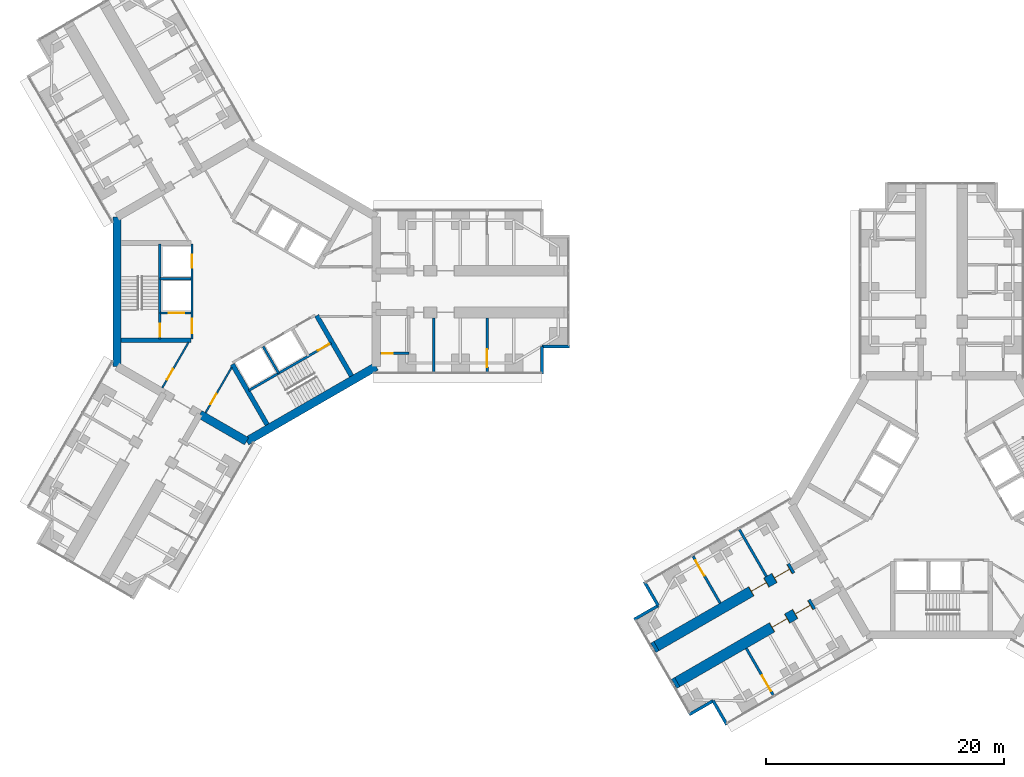
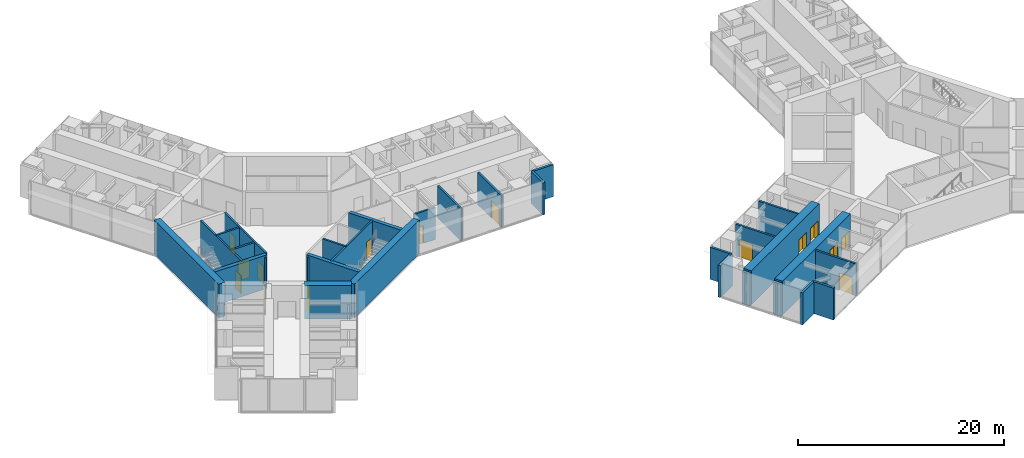
# One storey, part 16 of 22: 30 walls, 15 doors, 15 openings.
"""IFC4 building model written with IfcOpenShell, lengths in metres."""

from ifc_helpers import new_model, si_unit, direction, frame, frame_2d, origin, place, context, subcontext, project, spatial, rectangle, extrude, material, layer, layer_set, type_object, element, fill, save


model = new_model("IFC4")

# Units and contexts
model_context = context("Model", 3, precision=1e-05, world=origin(), true_north=direction((0.0, 1.0)))
body_context = subcontext(model_context, "Body", "Model", "MODEL_VIEW")
ifc_project = project(units=[si_unit("LENGTHUNIT", "METRE"), si_unit("AREAUNIT", "SQUARE_METRE"), si_unit("VOLUMEUNIT", "CUBIC_METRE"), si_unit("PLANEANGLEUNIT", "RADIAN"), si_unit("MASSUNIT", "GRAM", prefix="KILO")], contexts=[model_context])

# Site, building, storey
site_placement = place(None, origin())
site = spatial("IfcSite", under=ifc_project, at=site_placement, CompositionType="ELEMENT")
building_placement = place(site_placement, origin())
building = spatial("IfcBuilding", under=site, at=building_placement, Name="Upepo Twin Towers", CompositionType="ELEMENT")
storey_placement = place(building_placement, frame((0.0, 0.0, 40.5)))
storey = spatial("IfcBuildingStorey", under=building, at=storey_placement, Name="L09", CompositionType="ELEMENT", Elevation=40.5)

# Wall
ifc_material_1 = material(Name="Concrete blockwork, plastered both faces", Category="masonry")
ifc_layer_1 = layer(ifc_material_1, 0.215087890625)
ifc_layer_set_1 = layer_set([ifc_layer_1], Name="Blockwork partition 215")
wall_type_1 = type_object("IfcWallType", Name="Blockwork partition 215", PredefinedType="PARTITIONING", material=ifc_layer_set_1)
wall_1_placement = place(storey_placement, frame((15.75, -2.199951171875, 0.0), z_axis=(0.0, 0.0, 1.0), x_axis=(0.0, -1.0, 0.0)))
element("IfcWall", 1, at=wall_1_placement, inside=storey, type_object=wall_type_1, Name="T1 partition AR at 15.75", PredefinedType="PARTITIONING", context=body_context, shape_type="SweptSolid", body=[
    extrude(rectangle(XDim=4.550048828125, YDim=0.215087890625, at=frame_2d((2.27490234375, 0.0))), origin(), (0.0, 0.0, 1.0), 3.800048828125),
])

# Wall, opening, door
wall_2_placement = place(storey_placement, frame((20.25, -2.199951171875, 0.0), z_axis=(0.0, 0.0, 1.0), x_axis=(0.0, -1.0, 0.0)))
wall_2 = element("IfcWall", 2, at=wall_2_placement, inside=storey, type_object=wall_type_1, Name="T1 partition AR at 20.25", PredefinedType="PARTITIONING", context=body_context, shape_type="SweptSolid", body=[
    extrude(rectangle(XDim=4.550048828125, YDim=0.215087890625, at=frame_2d((2.27490234375, 0.0))), origin(), (0.0, 0.0, 1.0), 3.800048828125),
])
opening_1_placement = place(wall_2_placement, frame((2.64990234375, 0.0, 0.0)))
opening_1 = element("IfcOpeningElement", 3, at=opening_1_placement, cuts=wall_2, Name="Opening D13", PredefinedType="OPENING", context=body_context, shape_type="SweptSolid", body=[
    extrude(rectangle(XDim=1.5, YDim=2.10009765625, at=frame_2d((0.75, 1.050048828125))), frame((0.0, 0.117431640625, 0.0), z_axis=(0.0, -1.0, 0.0), x_axis=(1.0, 0.0, 0.0)), (0.0, 0.0, 1.0), 0.235107421875),
])
ifc_material_2 = material(Name="Timber doorset", Category="wood")
door_type_1 = type_object("IfcDoorType", Name="Double door 1500 FD30", OperationType="DOUBLE_DOOR_SINGLE_SWING", PredefinedType="DOOR", material=ifc_material_2)
door_1_placement = place(opening_1_placement, origin())
door_1 = element("IfcDoor", 4, at=door_1_placement, inside=storey, type_object=door_type_1, Name="T1 L09 connecting door", OperationType="DOUBLE_DOOR_SINGLE_SWING", OverallHeight=2.10009765625, OverallWidth=1.5, PredefinedType="DOOR", context=body_context, shape_type="SweptSolid", body=[
    extrude(rectangle(XDim=1.5, YDim=2.10009765625, at=frame_2d((0.75, 1.050048828125))), frame((0.0, 0.02490234375, 0.0), z_axis=(0.0, -1.0, 0.0), x_axis=(1.0, 0.0, 0.0)), (0.0, 0.0, 1.0), 0.050048828125),
])
fill(opening_1, door_1)

wall_3_placement = place(storey_placement, frame((11.258056640625, -5.199951171875, 0.0), z_axis=(0.0, 0.0, 1.0), x_axis=(1.0, 0.0, 0.0)))
wall_3 = element("IfcWall", 5, at=wall_3_placement, inside=storey, type_object=wall_type_1, Name="T1 WC bay partition AR at 11.26", PredefinedType="PARTITIONING", context=body_context, shape_type="SweptSolid", body=[
    extrude(rectangle(XDim=2.39990234375, YDim=0.215087890625, at=frame_2d((1.199951171875, 0.0))), origin(), (0.0, 0.0, 1.0), 3.800048828125),
])
opening_2_placement = place(wall_3_placement, frame((0.14990234375, 0.0, 0.0)))
opening_2 = element("IfcOpeningElement", 6, at=opening_2_placement, cuts=wall_3, Name="Opening D14", PredefinedType="OPENING", context=body_context, shape_type="SweptSolid", body=[
    extrude(rectangle(XDim=0.89990234375, YDim=2.10009765625, at=frame_2d((0.449951171875, 1.050048828125))), frame((0.0, 0.117431640625, 0.0), z_axis=(0.0, -1.0, 0.0), x_axis=(1.0, 0.0, 0.0)), (0.0, 0.0, 1.0), 0.235107421875),
])
ifc_material_3 = material(Name="Timber doorset", Category="wood")
door_type_2 = type_object("IfcDoorType", Name="Office door 900 FD30", OperationType="SINGLE_SWING_LEFT", PredefinedType="DOOR", material=ifc_material_3)
door_2_placement = place(opening_2_placement, origin())
door_2 = element("IfcDoor", 7, at=door_2_placement, inside=storey, type_object=door_type_2, Name="T1 L09 WC bay inner room door", OperationType="SINGLE_SWING_LEFT", OverallHeight=2.10009765625, OverallWidth=0.89990234375, PredefinedType="DOOR", context=body_context, shape_type="SweptSolid", body=[
    extrude(rectangle(XDim=0.89990234375, YDim=2.10009765625, at=frame_2d((0.449951171875, 1.050048828125))), frame((0.0, 0.02490234375, 0.0), z_axis=(0.0, -1.0, 0.0), x_axis=(1.0, 0.0, 0.0)), (0.0, 0.0, 1.0), 0.050048828125),
])
fill(opening_2, door_2)

wall_4_placement = place(storey_placement, frame((42.06298828125, -30.0302734375, 0.0), z_axis=(0.0, 0.0, 1.0), x_axis=(0.499982560684, -0.866035472144, 0.0)))
wall_4 = element("IfcWall", 8, at=wall_4_placement, inside=storey, type_object=wall_type_1, Name="T2 partition BL at 20.25", PredefinedType="PARTITIONING", context=body_context, shape_type="SweptSolid", body=[
    extrude(rectangle(XDim=4.550048828125, YDim=0.215087890625, at=frame_2d((2.27490234375, 0.0))), origin(), (0.0, 0.0, 1.0), 3.800048828125),
])
opening_3_placement = place(wall_4_placement, frame((2.64990234375, 0.0, 0.0)))
opening_3 = element("IfcOpeningElement", 9, at=opening_3_placement, cuts=wall_4, Name="Opening D13", PredefinedType="OPENING", context=body_context, shape_type="SweptSolid", body=[
    extrude(rectangle(XDim=1.5, YDim=2.10009765625, at=frame_2d((0.75, 1.050048828125))), frame((0.0, 0.117431640625, 0.0), z_axis=(0.0, -1.0, 0.0), x_axis=(1.0, 0.0, 0.0)), (0.0, 0.0, 1.0), 0.235107421875),
])
door_3_placement = place(opening_3_placement, origin())
door_3 = element("IfcDoor", 10, at=door_3_placement, inside=storey, type_object=door_type_1, Name="T2 L09 connecting door", OperationType="DOUBLE_DOOR_SINGLE_SWING", OverallHeight=2.10009765625, OverallWidth=1.5, PredefinedType="DOOR", context=body_context, shape_type="SweptSolid", body=[
    extrude(rectangle(XDim=1.5, YDim=2.10009765625, at=frame_2d((0.75, 1.050048828125))), frame((0.0, 0.02490234375, 0.0), z_axis=(0.0, -1.0, 0.0), x_axis=(1.0, 0.0, 0.0)), (0.0, 0.0, 1.0), 0.050048828125),
])
fill(opening_3, door_3)

# Wall
wall_5_placement = place(storey_placement, frame((43.760009765625, -23.9697265625, 0.0), z_axis=(0.0, 0.0, 1.0), x_axis=(-0.499982560684, 0.866035472144, 0.0)))
element("IfcWall", 11, at=wall_5_placement, inside=storey, type_object=wall_type_1, Name="T2 partition BR at 15.75", PredefinedType="PARTITIONING", context=body_context, shape_type="SweptSolid", body=[
    extrude(rectangle(XDim=4.550048828125, YDim=0.215087890625, at=frame_2d((2.27490234375, 0.0))), origin(), (0.0, 0.0, 1.0), 3.800048828125),
])

# Wall, opening, door
wall_6_placement = place(storey_placement, frame((39.863037109375, -26.2197265625, 0.0), z_axis=(0.0, 0.0, 1.0), x_axis=(-0.500022803284, 0.866012237902, 0.0)))
wall_6 = element("IfcWall", 12, at=wall_6_placement, inside=storey, type_object=wall_type_1, Name="T2 partition BR at 20.25", PredefinedType="PARTITIONING", context=body_context, shape_type="SweptSolid", body=[
    extrude(rectangle(XDim=4.550048828125, YDim=0.215087890625, at=frame_2d((2.27490234375, 0.0))), origin(), (0.0, 0.0, 1.0), 3.800048828125),
])
opening_4_placement = place(wall_6_placement, frame((2.64990234375, 0.0, 0.0)))
opening_4 = element("IfcOpeningElement", 13, at=opening_4_placement, cuts=wall_6, Name="Opening D13", PredefinedType="OPENING", context=body_context, shape_type="SweptSolid", body=[
    extrude(rectangle(XDim=1.5, YDim=2.10009765625, at=frame_2d((0.75, 1.050048828125))), frame((0.0, 0.117431640625, 0.0), z_axis=(0.0, -1.0, 0.0), x_axis=(1.0, 0.0, 0.0)), (0.0, 0.0, 1.0), 0.235107421875),
])
door_4_placement = place(opening_4_placement, origin())
door_4 = element("IfcDoor", 14, at=door_4_placement, inside=storey, type_object=door_type_1, Name="T2 L09 connecting door", OperationType="DOUBLE_DOOR_SINGLE_SWING", OverallHeight=2.10009765625, OverallWidth=1.5, PredefinedType="DOOR", context=body_context, shape_type="SweptSolid", body=[
    extrude(rectangle(XDim=1.5, YDim=2.10009765625, at=frame_2d((0.75, 1.050048828125))), frame((0.0, 0.02490234375, 0.0), z_axis=(0.0, -1.0, 0.0), x_axis=(1.0, 0.0, 0.0)), (0.0, 0.0, 1.0), 0.050048828125),
])
fill(opening_4, door_4)

# Walls
ifc_material_4 = material(Name="Dense concrete blockwork", Category="masonry")
ifc_layer_2 = layer(ifc_material_4, 0.89990234375)
ifc_layer_set_2 = layer_set([ifc_layer_2], Name="Buttress closer 900, blockwork with fire-stopping to the curtain wall")
wall_type_2 = type_object("IfcWallType", Name="Buttress closer 900, blockwork with fire-stopping to the curtain wall", PredefinedType="PARTITIONING", material=ifc_layer_set_2)
for number, where, z_axis, x_axis, name in (
    (15, (36.252197265625, -32.865478515625, 0.0), (0.0, 0.0, 1.0), (-0.866054481515, -0.499949632511, 0.0), "T2 L09 wing B buttress closer L"),
    (16, (34.502197265625, -29.83447265625, 0.0), (0.0, 0.0, 1.0), (-0.866054481515, -0.499949632511, 0.0), "T2 L09 wing B buttress closer R"),
):
    element("IfcWall", number, at=place(storey_placement, frame(where, z_axis=z_axis, x_axis=x_axis)), inside=storey, type_object=wall_type_2, Name=name, PredefinedType="PARTITIONING", context=body_context, shape_type="SweptSolid", body=[
        extrude(rectangle(XDim=0.31005859375, YDim=0.89990234375, at=frame_2d((0.155029296875, 0.0))), origin(), (0.0, 0.0, 1.0), 3.800048828125),
    ])

# Wall, openings, doors
ifc_material_5 = material(Name="Concrete C60/75", Category="concrete")
ifc_layer_3 = layer(ifc_material_5, 0.89990234375)
ifc_layer_set_3 = layer_set([ifc_layer_3], Name="Concrete C60/75")
wall_type_3 = type_object("IfcWallType", Name="Buttress wall 900 RC", PredefinedType="SHEAR", material=ifc_layer_set_3)
wall_7_placement = place(storey_placement, frame((47.68359375, -26.265625, 0.0), z_axis=(0.0, 0.0, 1.0), x_axis=(-0.866027579429, -0.499996231654, 0.0)))
wall_7 = element("IfcWall", 17, at=wall_7_placement, inside=storey, type_object=wall_type_3, Name="T2 wing B buttress wall L part 2", PredefinedType="SHEAR", context=body_context, shape_type="SweptSolid", body=[
    extrude(rectangle(XDim=13.19970703125, YDim=0.89990234375, at=frame_2d((6.599853515625, 0.0))), origin(), (0.0, 0.0, 1.0), 4.0),
])
opening_5_placement = place(wall_7_placement, frame((0.25, 0.0, 0.0)))
opening_5 = element("IfcOpeningElement", 18, at=opening_5_placement, cuts=wall_7, Name="Opening D13", PredefinedType="OPENING", context=body_context, shape_type="SweptSolid", body=[
    extrude(rectangle(XDim=1.5, YDim=2.10009765625, at=frame_2d((0.75, 1.050048828125))), frame((0.0, 0.4599609375, 0.0), z_axis=(0.0, -1.0, 0.0), x_axis=(1.0, 0.0, 0.0)), (0.0, 0.0, 1.0), 0.919921875),
])
opening_6_placement = place(wall_7_placement, frame((2.5, 0.0, 0.0)))
opening_6 = element("IfcOpeningElement", 19, at=opening_6_placement, cuts=wall_7, Name="Opening D13", PredefinedType="OPENING", context=body_context, shape_type="SweptSolid", body=[
    extrude(rectangle(XDim=1.5, YDim=2.10009765625, at=frame_2d((0.75, 1.050048828125))), frame((0.0, 0.4599609375, 0.0), z_axis=(0.0, -1.0, 0.0), x_axis=(1.0, 0.0, 0.0)), (0.0, 0.0, 1.0), 0.919921875),
])
door_5_placement = place(opening_5_placement, origin())
door_5 = element("IfcDoor", 20, at=door_5_placement, inside=storey, type_object=door_type_1, Name="T2 L09 lecture room door", OperationType="DOUBLE_DOOR_SINGLE_SWING", OverallHeight=2.10009765625, OverallWidth=1.5, PredefinedType="DOOR", context=body_context, shape_type="SweptSolid", body=[
    extrude(rectangle(XDim=1.42, YDim=2.06009765625, at=frame_2d((0.75, 1.030029296875))), frame((0.0, 0.02490234375, 0.0), z_axis=(0.0, -1.0, 0.0), x_axis=(1.0, 0.0, 0.0)), (0.0, 0.0, 1.0), 0.050048828125),
    extrude(rectangle(XDim=0.04, YDim=2.10009765625, at=frame_2d((0.02001953125, 1.050048828125))), frame((0.0, 0.44970703125, 0.0), z_axis=(0.0, -1.0, 0.0), x_axis=(1.0, 0.0, 0.0)), (0.0, 0.0, 1.0), 0.8994140625),
    extrude(rectangle(XDim=0.04, YDim=2.10009765625, at=frame_2d((1.47998046875, 1.050048828125))), frame((0.0, 0.44970703125, 0.0), z_axis=(0.0, -1.0, 0.0), x_axis=(1.0, 0.0, 0.0)), (0.0, 0.0, 1.0), 0.8994140625),
    extrude(rectangle(XDim=1.42, YDim=0.04, at=frame_2d((0.75, 2.080078125))), frame((0.0, 0.44970703125, 0.0), z_axis=(0.0, -1.0, 0.0), x_axis=(1.0, 0.0, 0.0)), (0.0, 0.0, 1.0), 0.8994140625),
])
fill(opening_5, door_5)
door_6_placement = place(opening_6_placement, origin())
door_6 = element("IfcDoor", 21, at=door_6_placement, inside=storey, type_object=door_type_1, Name="T2 L09 tutorial room door", OperationType="DOUBLE_DOOR_SINGLE_SWING", OverallHeight=2.10009765625, OverallWidth=1.5, PredefinedType="DOOR", context=body_context, shape_type="SweptSolid", body=[
    extrude(rectangle(XDim=1.42, YDim=2.06009765625, at=frame_2d((0.75, 1.030029296875))), frame((0.0, 0.02490234375, 0.0), z_axis=(0.0, -1.0, 0.0), x_axis=(1.0, 0.0, 0.0)), (0.0, 0.0, 1.0), 0.050048828125),
    extrude(rectangle(XDim=0.04, YDim=2.10009765625, at=frame_2d((0.02001953125, 1.050048828125))), frame((0.0, 0.44970703125, 0.0), z_axis=(0.0, -1.0, 0.0), x_axis=(1.0, 0.0, 0.0)), (0.0, 0.0, 1.0), 0.8994140625),
    extrude(rectangle(XDim=0.04, YDim=2.10009765625, at=frame_2d((1.47998046875, 1.050048828125))), frame((0.0, 0.44970703125, 0.0), z_axis=(0.0, -1.0, 0.0), x_axis=(1.0, 0.0, 0.0)), (0.0, 0.0, 1.0), 0.8994140625),
    extrude(rectangle(XDim=1.42, YDim=0.04, at=frame_2d((0.75, 2.080078125))), frame((0.0, 0.44970703125, 0.0), z_axis=(0.0, -1.0, 0.0), x_axis=(1.0, 0.0, 0.0)), (0.0, 0.0, 1.0), 0.8994140625),
])
fill(opening_6, door_6)

wall_8_placement = place(storey_placement, frame((45.93359375, -23.234375, 0.0), z_axis=(0.0, 0.0, 1.0), x_axis=(-0.866019570528, -0.500010103361, 0.0)))
wall_8 = element("IfcWall", 22, at=wall_8_placement, inside=storey, type_object=wall_type_3, Name="T2 wing B buttress wall R part 2", PredefinedType="SHEAR", context=body_context, shape_type="SweptSolid", body=[
    extrude(rectangle(XDim=13.199951171875, YDim=0.89990234375, at=frame_2d((6.60009765625, 0.0))), origin(), (0.0, 0.0, 1.0), 4.0),
])
opening_7_placement = place(wall_8_placement, frame((0.25, 0.0, 0.0)))
opening_7 = element("IfcOpeningElement", 23, at=opening_7_placement, cuts=wall_8, Name="Opening D13", PredefinedType="OPENING", context=body_context, shape_type="SweptSolid", body=[
    extrude(rectangle(XDim=1.5, YDim=2.10009765625, at=frame_2d((0.75, 1.050048828125))), frame((0.0, 0.4599609375, 0.0), z_axis=(0.0, -1.0, 0.0), x_axis=(1.0, 0.0, 0.0)), (0.0, 0.0, 1.0), 0.919921875),
])
opening_8_placement = place(wall_8_placement, frame((2.5, 0.0, 0.0)))
opening_8 = element("IfcOpeningElement", 24, at=opening_8_placement, cuts=wall_8, Name="Opening D13", PredefinedType="OPENING", context=body_context, shape_type="SweptSolid", body=[
    extrude(rectangle(XDim=1.5, YDim=2.10009765625, at=frame_2d((0.75, 1.050048828125))), frame((0.0, 0.4599609375, 0.0), z_axis=(0.0, -1.0, 0.0), x_axis=(1.0, 0.0, 0.0)), (0.0, 0.0, 1.0), 0.919921875),
])
door_7_placement = place(opening_7_placement, origin())
door_7 = element("IfcDoor", 25, at=door_7_placement, inside=storey, type_object=door_type_1, Name="T2 L09 seminar room door", OperationType="DOUBLE_DOOR_SINGLE_SWING", OverallHeight=2.10009765625, OverallWidth=1.5, PredefinedType="DOOR", context=body_context, shape_type="SweptSolid", body=[
    extrude(rectangle(XDim=1.42, YDim=2.06009765625, at=frame_2d((0.75, 1.030029296875))), frame((0.0, 0.02490234375, 0.0), z_axis=(0.0, -1.0, 0.0), x_axis=(1.0, 0.0, 0.0)), (0.0, 0.0, 1.0), 0.050048828125),
    extrude(rectangle(XDim=0.04, YDim=2.10009765625, at=frame_2d((0.02001953125, 1.050048828125))), frame((0.0, 0.44970703125, 0.0), z_axis=(0.0, -1.0, 0.0), x_axis=(1.0, 0.0, 0.0)), (0.0, 0.0, 1.0), 0.8994140625),
    extrude(rectangle(XDim=0.04, YDim=2.10009765625, at=frame_2d((1.47998046875, 1.050048828125))), frame((0.0, 0.44970703125, 0.0), z_axis=(0.0, -1.0, 0.0), x_axis=(1.0, 0.0, 0.0)), (0.0, 0.0, 1.0), 0.8994140625),
    extrude(rectangle(XDim=1.42, YDim=0.04, at=frame_2d((0.75, 2.080078125))), frame((0.0, 0.44970703125, 0.0), z_axis=(0.0, -1.0, 0.0), x_axis=(1.0, 0.0, 0.0)), (0.0, 0.0, 1.0), 0.8994140625),
])
fill(opening_7, door_7)
door_8_placement = place(opening_8_placement, origin())
door_8 = element("IfcDoor", 26, at=door_8_placement, inside=storey, type_object=door_type_1, Name="T2 L09 lecture room door", OperationType="DOUBLE_DOOR_SINGLE_SWING", OverallHeight=2.10009765625, OverallWidth=1.5, PredefinedType="DOOR", context=body_context, shape_type="SweptSolid", body=[
    extrude(rectangle(XDim=1.42, YDim=2.06009765625, at=frame_2d((0.75, 1.030029296875))), frame((0.0, 0.02490234375, 0.0), z_axis=(0.0, -1.0, 0.0), x_axis=(1.0, 0.0, 0.0)), (0.0, 0.0, 1.0), 0.050048828125),
    extrude(rectangle(XDim=0.04, YDim=2.10009765625, at=frame_2d((0.02001953125, 1.050048828125))), frame((0.0, 0.44970703125, 0.0), z_axis=(0.0, -1.0, 0.0), x_axis=(1.0, 0.0, 0.0)), (0.0, 0.0, 1.0), 0.8994140625),
    extrude(rectangle(XDim=0.04, YDim=2.10009765625, at=frame_2d((1.47998046875, 1.050048828125))), frame((0.0, 0.44970703125, 0.0), z_axis=(0.0, -1.0, 0.0), x_axis=(1.0, 0.0, 0.0)), (0.0, 0.0, 1.0), 0.8994140625),
    extrude(rectangle(XDim=1.42, YDim=0.04, at=frame_2d((0.75, 2.080078125))), frame((0.0, 0.44970703125, 0.0), z_axis=(0.0, -1.0, 0.0), x_axis=(1.0, 0.0, 0.0)), (0.0, 0.0, 1.0), 0.8994140625),
])
fill(opening_8, door_8)

# Walls
ifc_material_6 = material(Name="Concrete C60/75", Category="concrete")
ifc_layer_4 = layer(ifc_material_6, 0.699951171875)
ifc_layer_set_4 = layer_set([ifc_layer_4], Name="Concrete C60/75")
wall_type_4 = type_object("IfcWallType", Name="Core wall 700 RC", PredefinedType="SHEAR", material=ifc_layer_set_4)
wall_9_placement = place(storey_placement, frame((-10.908447265625, 6.2978515625, 0.0), z_axis=(0.0, 0.0, 1.0), x_axis=(0.0, -1.0, 0.0)))
element("IfcWall", 27, at=wall_9_placement, inside=storey, type_object=wall_type_4, Name="T1 core wall 180", PredefinedType="SHEAR", context=body_context, shape_type="SweptSolid", body=[
    extrude(rectangle(XDim=12.595703125, YDim=0.699951171875, at=frame_2d((6.2978515625, 0.0))), origin(), (0.0, 0.0, 1.0), 4.0),
])
wall_10_placement = place(storey_placement, frame((-3.938720703125, -10.32177734375, 0.0), z_axis=(0.0, 0.0, 1.0), x_axis=(0.866011268655, -0.500024481964, 0.0)))
element("IfcWall", 28, at=wall_10_placement, inside=storey, type_object=wall_type_4, Name="T1 core wall 240 L", PredefinedType="SHEAR", context=body_context, shape_type="SweptSolid", body=[
    extrude(rectangle(XDim=4.548095703125, YDim=0.699951171875, at=frame_2d((2.27392578125, 0.0))), origin(), (0.0, 0.0, 1.0), 4.0),
])
wall_11_placement = place(storey_placement, frame((0.0, -12.595947265625, 0.0), z_axis=(0.0, 0.0, 1.0), x_axis=(0.866021940709, 0.500005998175, 0.0)))
element("IfcWall", 29, at=wall_11_placement, inside=storey, type_object=wall_type_4, Name="T1 core wall 300", PredefinedType="SHEAR", context=body_context, shape_type="SweptSolid", body=[
    extrude(rectangle(XDim=12.595947265625, YDim=0.699951171875, at=frame_2d((6.2978515625, 0.0))), origin(), (0.0, 0.0, 1.0), 4.0),
])
ifc_material_7 = material(Name="Blockwork with anodised aluminium cladding", Category="masonry")
ifc_layer_5 = layer(ifc_material_7, 0.25)
ifc_layer_set_5 = layer_set([ifc_layer_5], Name="Notch cladding wall 250, pale metal")
wall_type_5 = type_object("IfcWallType", Name="Notch cladding wall 250, pale metal", PredefinedType="STANDARD", material=ifc_layer_set_5)
for number, where, z_axis, x_axis, name in (
    (30, (24.875, -6.949951171875, 0.0), (0.0, 0.0, 1.0), (0.0, 1.0, 0.0), "T1 L09 wing A notch wall R1"),
    (31, (24.875, -4.625, 0.0), (0.0, 0.0, 1.0), (1.0, 0.0, 0.0), "T1 L09 wing A notch wall R2"),
    (32, (40.4326171875, -36.456298828125, 0.0), (0.0, 0.0, 1.0), (-0.500046648681, 0.865998469481, 0.0), "T2 L09 wing B notch wall L1"),
    (33, (39.27001953125, -34.44287109375, 0.0), (0.0, 0.0, 1.0), (-0.865998469481, -0.500046648681, 0.0), "T2 L09 wing B notch wall L2"),
    (34, (33.482666015625, -24.418701171875, 0.0), (0.0, 0.0, 1.0), (0.499967891604, -0.866043940782, 0.0), "T2 L09 wing B notch wall R1"),
    (35, (34.64501953125, -26.43212890625, 0.0), (0.0, 0.0, 1.0), (-0.865998469481, -0.500046648681, 0.0), "T2 L09 wing B notch wall R2"),
):
    element("IfcWall", number, at=place(storey_placement, frame(where, z_axis=z_axis, x_axis=x_axis)), inside=storey, type_object=wall_type_5, Name=name, PredefinedType="STANDARD", context=body_context, shape_type="SweptSolid", body=[
        extrude(rectangle(XDim=2.324951171875, YDim=0.25, at=frame_2d((1.16259765625, 0.0))), origin(), (0.0, 0.0, 1.0), 3.800048828125),
    ])

# Wall, openings, doors
ifc_material_8 = material(Name="Concrete C40/50", Category="concrete")
ifc_layer_6 = layer(ifc_material_8, 0.199951171875)
ifc_layer_set_6 = layer_set([ifc_layer_6], Name="Concrete C40/50")
wall_type_6 = type_object("IfcWallType", Name="Shaft wall 200 RC", PredefinedType="SHEAR", material=ifc_layer_set_6)
wall_12_placement = place(storey_placement, frame((-4.60009765625, 4.0, 0.0), z_axis=(0.0, 0.0, 1.0), x_axis=(0.0, -1.0, 0.0)))
wall_12 = element("IfcWall", 36, at=wall_12_placement, inside=storey, type_object=wall_type_6, Name="T1 core W180 front wall", PredefinedType="SHEAR", context=body_context, shape_type="SweptSolid", body=[
    extrude(rectangle(XDim=8.0, YDim=0.199951171875, at=frame_2d((4.0, 0.0))), origin(), (0.0, 0.0, 1.0), 4.0),
])
opening_9_placement = place(wall_12_placement, frame((6.300048828125, 0.0, 0.0)))
opening_9 = element("IfcOpeningElement", 37, at=opening_9_placement, cuts=wall_12, Name="Opening D4", PredefinedType="OPENING", context=body_context, shape_type="SweptSolid", body=[
    extrude(rectangle(XDim=1.199951171875, YDim=2.10009765625, at=frame_2d((0.60009765625, 1.050048828125))), frame((0.0, 0.10986328125, 0.0), z_axis=(0.0, -1.0, 0.0), x_axis=(1.0, 0.0, 0.0)), (0.0, 0.0, 1.0), 0.219970703125),
])
opening_10_placement = place(wall_12_placement, frame((0.89990234375, 0.0, 0.0)))
opening_10 = element("IfcOpeningElement", 38, at=opening_10_placement, cuts=wall_12, Name="Opening LD1", PredefinedType="OPENING", context=body_context, shape_type="SweptSolid", body=[
    extrude(rectangle(XDim=1.10009765625, YDim=2.199951171875, at=frame_2d((0.550048828125, 1.10009765625))), frame((0.0, 0.10986328125, 0.0), z_axis=(0.0, -1.0, 0.0), x_axis=(1.0, 0.0, 0.0)), (0.0, 0.0, 1.0), 0.219970703125),
])
ifc_material_9 = material(Name="Steel doorset", Category="steel")
door_type_3 = type_object("IfcDoorType", Name="Lift landing door 1100", OperationType="DOUBLE_DOOR_SLIDING", PredefinedType="DOOR", material=ifc_material_9)
door_9_placement = place(opening_10_placement, origin())
door_9 = element("IfcDoor", 39, at=door_9_placement, inside=storey, type_object=door_type_3, Name="T1 L09 lift SV1 landing door", OperationType="DOUBLE_DOOR_SLIDING", OverallHeight=2.199951171875, OverallWidth=1.10009765625, PredefinedType="DOOR", context=body_context, shape_type="SweptSolid", body=[
    extrude(rectangle(XDim=1.10009765625, YDim=2.199951171875, at=frame_2d((0.550048828125, 1.10009765625))), frame((0.0, 0.02490234375, 0.0), z_axis=(0.0, -1.0, 0.0), x_axis=(1.0, 0.0, 0.0)), (0.0, 0.0, 1.0), 0.050048828125),
])
fill(opening_10, door_9)
ifc_material_10 = material(Name="Timber doorset", Category="wood")
door_type_4 = type_object("IfcDoorType", Name="Lobby door 1200 FD60", OperationType="SINGLE_SWING_LEFT", PredefinedType="DOOR", material=ifc_material_10)
door_10_placement = place(opening_9_placement, origin())
door_10 = element("IfcDoor", 40, at=door_10_placement, inside=storey, type_object=door_type_4, Name="T1 L09 W180 lobby door", OperationType="SINGLE_SWING_RIGHT", OverallHeight=2.10009765625, OverallWidth=1.199951171875, PredefinedType="DOOR", context=body_context, shape_type="SweptSolid", body=[
    extrude(rectangle(XDim=1.199951171875, YDim=2.10009765625, at=frame_2d((0.60009765625, 1.050048828125))), frame((0.0, 0.02490234375, 0.0), z_axis=(0.0, -1.0, 0.0), x_axis=(1.0, 0.0, 0.0)), (0.0, 0.0, 1.0), 0.050048828125),
])
fill(opening_9, door_10)

# Wall
wall_13_placement = place(storey_placement, frame((-4.699951171875, 1.10009765625, 0.0), z_axis=(0.0, 0.0, 1.0), x_axis=(-1.0, 0.0, 0.0)))
element("IfcWall", 41, at=wall_13_placement, inside=storey, type_object=wall_type_6, Name="T1 core W180 shaft divider", PredefinedType="SHEAR", context=body_context, shape_type="SweptSolid", body=[
    extrude(rectangle(XDim=2.60009765625, YDim=0.199951171875, at=frame_2d((1.300048828125, 0.0))), origin(), (0.0, 0.0, 1.0), 4.0),
])

# Wall, opening, door
wall_14_placement = place(storey_placement, frame((-4.699951171875, -1.800048828125, 0.0), z_axis=(0.0, 0.0, 1.0), x_axis=(-1.0, 0.0, 0.0)))
wall_14 = element("IfcWall", 42, at=wall_14_placement, inside=storey, type_object=wall_type_6, Name="T1 core W180 lobby wall", PredefinedType="SHEAR", context=body_context, shape_type="SweptSolid", body=[
    extrude(rectangle(XDim=2.60009765625, YDim=0.199951171875, at=frame_2d((1.300048828125, 0.0))), origin(), (0.0, 0.0, 1.0), 4.0),
])
opening_11_placement = place(wall_14_placement, frame((0.550048828125, 0.0, 0.0)))
opening_11 = element("IfcOpeningElement", 43, at=opening_11_placement, cuts=wall_14, Name="Opening LD2", PredefinedType="OPENING", context=body_context, shape_type="SweptSolid", body=[
    extrude(rectangle(XDim=1.300048828125, YDim=2.199951171875, at=frame_2d((0.64990234375, 1.10009765625))), frame((0.0, 0.10986328125, 0.0), z_axis=(0.0, -1.0, 0.0), x_axis=(1.0, 0.0, 0.0)), (0.0, 0.0, 1.0), 0.219970703125),
])
ifc_material_11 = material(Name="Steel doorset", Category="steel")
door_type_5 = type_object("IfcDoorType", Name="Firefighting lift landing door 1300", OperationType="DOUBLE_DOOR_SLIDING", PredefinedType="DOOR", material=ifc_material_11)
door_11_placement = place(opening_11_placement, origin())
door_11 = element("IfcDoor", 44, at=door_11_placement, inside=storey, type_object=door_type_5, Name="T1 L09 firefighting lift landing door", OperationType="DOUBLE_DOOR_SLIDING", OverallHeight=2.199951171875, OverallWidth=1.300048828125, PredefinedType="DOOR", context=body_context, shape_type="SweptSolid", body=[
    extrude(rectangle(XDim=1.300048828125, YDim=2.199951171875, at=frame_2d((0.64990234375, 1.10009765625))), frame((0.0, 0.02490234375, 0.0), z_axis=(0.0, -1.0, 0.0), x_axis=(1.0, 0.0, 0.0)), (0.0, 0.0, 1.0), 0.050048828125),
])
fill(opening_11, door_11)

wall_15_placement = place(storey_placement, frame((-7.300048828125, 4.0, 0.0), z_axis=(0.0, 0.0, 1.0), x_axis=(0.0, -1.0, 0.0)))
wall_15 = element("IfcWall", 45, at=wall_15_placement, inside=storey, type_object=wall_type_6, Name="T1 core W180 stair wall", PredefinedType="SHEAR", context=body_context, shape_type="SweptSolid", body=[
    extrude(rectangle(XDim=8.0, YDim=0.199951171875, at=frame_2d((4.0, 0.0))), origin(), (0.0, 0.0, 1.0), 4.0),
])
opening_12_placement = place(wall_15_placement, frame((6.699951171875, 0.0, 0.0)))
opening_12 = element("IfcOpeningElement", 46, at=opening_12_placement, cuts=wall_15, Name="Opening D3", PredefinedType="OPENING", context=body_context, shape_type="SweptSolid", body=[
    extrude(rectangle(XDim=1.10009765625, YDim=2.10009765625, at=frame_2d((0.550048828125, 1.050048828125))), frame((0.0, 0.10986328125, 0.0), z_axis=(0.0, -1.0, 0.0), x_axis=(1.0, 0.0, 0.0)), (0.0, 0.0, 1.0), 0.219970703125),
])
ifc_material_12 = material(Name="Timber doorset", Category="wood")
door_type_6 = type_object("IfcDoorType", Name="Stair door 1100 FD60", OperationType="SINGLE_SWING_LEFT", PredefinedType="DOOR", material=ifc_material_12)
door_12_placement = place(opening_12_placement, origin())
door_12 = element("IfcDoor", 47, at=door_12_placement, inside=storey, type_object=door_type_6, Name="T1 L09 stair door", OperationType="SINGLE_SWING_RIGHT", OverallHeight=2.10009765625, OverallWidth=1.10009765625, PredefinedType="DOOR", context=body_context, shape_type="SweptSolid", body=[
    extrude(rectangle(XDim=1.10009765625, YDim=2.10009765625, at=frame_2d((0.550048828125, 1.050048828125))), frame((0.0, 0.02490234375, 0.0), z_axis=(0.0, -1.0, 0.0), x_axis=(1.0, 0.0, 0.0)), (0.0, 0.0, 1.0), 0.050048828125),
])
fill(opening_12, door_12)

# Wall
wall_16_placement = place(storey_placement, frame((1.3974609375, -4.620361328125, 0.0), z_axis=(0.0, 0.0, 1.0), x_axis=(0.499936506574, -0.866062058628, 0.0)))
element("IfcWall", 48, at=wall_16_placement, inside=storey, type_object=wall_type_6, Name="T1 core W300 shaft divider", PredefinedType="SHEAR", context=body_context, shape_type="SweptSolid", body=[
    extrude(rectangle(XDim=2.599853515625, YDim=0.199951171875, at=frame_2d((1.2998046875, 0.0))), origin(), (0.0, 0.0, 1.0), 4.0),
])

# Wall, opening, door
wall_17_placement = place(storey_placement, frame((0.185791015625, -8.322021484375, 0.0), z_axis=(0.0, 0.0, 1.0), x_axis=(0.866026010844, 0.49999894854, 0.0)))
wall_17 = element("IfcWall", 49, at=wall_17_placement, inside=storey, type_object=wall_type_6, Name="T1 core W300 stair wall", PredefinedType="SHEAR", context=body_context, shape_type="SweptSolid", body=[
    extrude(rectangle(XDim=8.0, YDim=0.199951171875, at=frame_2d((4.0, 0.0))), origin(), (0.0, 0.0, 1.0), 4.0),
])
opening_13_placement = place(wall_17_placement, frame((6.699951171875, 0.0, 0.0)))
opening_13 = element("IfcOpeningElement", 50, at=opening_13_placement, cuts=wall_17, Name="Opening D3", PredefinedType="OPENING", context=body_context, shape_type="SweptSolid", body=[
    extrude(rectangle(XDim=1.10009765625, YDim=2.10009765625, at=frame_2d((0.550048828125, 1.050048828125))), frame((0.0, 0.10986328125, 0.0), z_axis=(0.0, -1.0, 0.0), x_axis=(1.0, 0.0, 0.0)), (0.0, 0.0, 1.0), 0.219970703125),
])
door_13_placement = place(opening_13_placement, origin())
door_13 = element("IfcDoor", 51, at=door_13_placement, inside=storey, type_object=door_type_6, Name="T1 L09 stair door", OperationType="SINGLE_SWING_RIGHT", OverallHeight=2.10009765625, OverallWidth=1.10009765625, PredefinedType="DOOR", context=body_context, shape_type="SweptSolid", body=[
    extrude(rectangle(XDim=1.10009765625, YDim=2.10009765625, at=frame_2d((0.550048828125, 1.050048828125))), frame((0.0, 0.02490234375, 0.0), z_axis=(0.0, -1.0, 0.0), x_axis=(1.0, 0.0, 0.0)), (0.0, 0.0, 1.0), 0.050048828125),
])
fill(opening_13, door_13)

# Walls
ifc_material_13 = material(Name="Concrete C40/50", Category="concrete")
ifc_layer_7 = layer(ifc_material_13, 0.39990234375)
ifc_layer_set_7 = layer_set([ifc_layer_7], Name="Concrete C40/50")
wall_type_7 = type_object("IfcWallType", Name="Shaft wall 400 RC", PredefinedType="SHEAR", material=ifc_layer_set_7)
for number, where, z_axis, x_axis, name in (
    (52, (-4.699951171875, -4.10009765625, 0.0), (0.0, 0.0, 1.0), (-1.0, 0.0, 0.0), "T1 core W180 side wall N"),
    (53, (5.900634765625, -2.020263671875, 0.0), (0.0, 0.0, 1.0), (0.500002627198, -0.866023886965, 0.0), "T1 core W300 side wall N"),
    (54, (-1.20068359375, -6.120361328125, 0.0), (0.0, 0.0, 1.0), (0.500002627198, -0.866023886965, 0.0), "T1 core W300 side wall S"),
):
    element("IfcWall", number, at=place(storey_placement, frame(where, z_axis=z_axis, x_axis=x_axis)), inside=storey, type_object=wall_type_7, Name=name, PredefinedType="SHEAR", context=body_context, shape_type="SweptSolid", body=[
        extrude(rectangle(XDim=5.8583984375, YDim=0.39990234375, at=frame_2d((2.92919921875, 0.0))), origin(), (0.0, 0.0, 1.0), 4.0),
    ])

# Wall, opening, door
ifc_material_14 = material(Name="Gypsum board on steel studs", Category="steel")
ifc_layer_8 = layer(ifc_material_14, 0.14990234375)
ifc_layer_set_8 = layer_set([ifc_layer_8], Name="Teaching partition 150 acoustic")
wall_type_8 = type_object("IfcWallType", Name="Teaching partition 150 acoustic", PredefinedType="PARTITIONING", material=ifc_layer_set_8)
wall_18_placement = place(storey_placement, frame((-1.252685546875, -6.36962890625, 0.0), z_axis=(0.0, 0.0, 1.0), x_axis=(-0.500007369519, -0.866021148949, 0.0)))
wall_18 = element("IfcWall", 55, at=wall_18_placement, inside=storey, type_object=wall_type_8, Name="T1 core room partition 1", PredefinedType="PARTITIONING", context=body_context, shape_type="SweptSolid", body=[
    extrude(rectangle(XDim=4.42578125, YDim=0.14990234375, at=frame_2d((2.212890625, 0.0))), origin(), (0.0, 0.0, 1.0), 3.800048828125),
])
opening_14_placement = place(wall_18_placement, frame((2.597900390625, 0.0, 0.0)))
opening_14 = element("IfcOpeningElement", 56, at=opening_14_placement, cuts=wall_18, Name="Opening D1", PredefinedType="OPENING", context=body_context, shape_type="SweptSolid", body=[
    extrude(rectangle(XDim=1.0, YDim=2.10009765625, at=frame_2d((0.5, 1.050048828125))), frame((0.0, 0.0849609375, 0.0), z_axis=(0.0, -1.0, 0.0), x_axis=(1.0, 0.0, 0.0)), (0.0, 0.0, 1.0), 0.169921875),
])
ifc_material_15 = material(Name="Timber doorset", Category="wood")
door_type_7 = type_object("IfcDoorType", Name="Room door 1000 FD30", OperationType="SINGLE_SWING_LEFT", PredefinedType="DOOR", material=ifc_material_15)
door_14_placement = place(opening_14_placement, origin())
door_14 = element("IfcDoor", 57, at=door_14_placement, inside=storey, type_object=door_type_7, Name="T1 L09 core room door K2", OperationType="SINGLE_SWING_RIGHT", OverallHeight=2.10009765625, OverallWidth=1.0, PredefinedType="DOOR", context=body_context, shape_type="SweptSolid", body=[
    extrude(rectangle(XDim=1.0, YDim=2.10009765625, at=frame_2d((0.5, 1.050048828125))), frame((0.0, 0.02490234375, 0.0), z_axis=(0.0, -1.0, 0.0), x_axis=(1.0, 0.0, 0.0)), (0.0, 0.0, 1.0), 0.050048828125),
])
fill(opening_14, door_14)

wall_19_placement = place(storey_placement, frame((-7.102783203125, -8.1025390625, 0.0), z_axis=(0.0, 0.0, 1.0), x_axis=(0.500007369519, 0.866021148949, 0.0)))
wall_19 = element("IfcWall", 58, at=wall_19_placement, inside=storey, type_object=wall_type_8, Name="T1 core room partition 2", PredefinedType="PARTITIONING", context=body_context, shape_type="SweptSolid", body=[
    extrude(rectangle(XDim=4.42578125, YDim=0.14990234375, at=frame_2d((2.212890625, 0.0))), origin(), (0.0, 0.0, 1.0), 3.800048828125),
])
opening_15_placement = place(wall_19_placement, frame((0.82763671875, 0.0, 0.0)))
opening_15 = element("IfcOpeningElement", 59, at=opening_15_placement, cuts=wall_19, Name="Opening D1", PredefinedType="OPENING", context=body_context, shape_type="SweptSolid", body=[
    extrude(rectangle(XDim=1.0, YDim=2.10009765625, at=frame_2d((0.5, 1.050048828125))), frame((0.0, 0.0849609375, 0.0), z_axis=(0.0, -1.0, 0.0), x_axis=(1.0, 0.0, 0.0)), (0.0, 0.0, 1.0), 0.169921875),
])
door_15_placement = place(opening_15_placement, origin())
door_15 = element("IfcDoor", 60, at=door_15_placement, inside=storey, type_object=door_type_7, Name="T1 L09 core room door K1", OperationType="SINGLE_SWING_LEFT", OverallHeight=2.10009765625, OverallWidth=1.0, PredefinedType="DOOR", context=body_context, shape_type="SweptSolid", body=[
    extrude(rectangle(XDim=1.0, YDim=2.10009765625, at=frame_2d((0.5, 1.050048828125))), frame((0.0, 0.02490234375, 0.0), z_axis=(0.0, -1.0, 0.0), x_axis=(1.0, 0.0, 0.0)), (0.0, 0.0, 1.0), 0.050048828125),
])
fill(opening_15, door_15)

save(model, "model.ifc")
